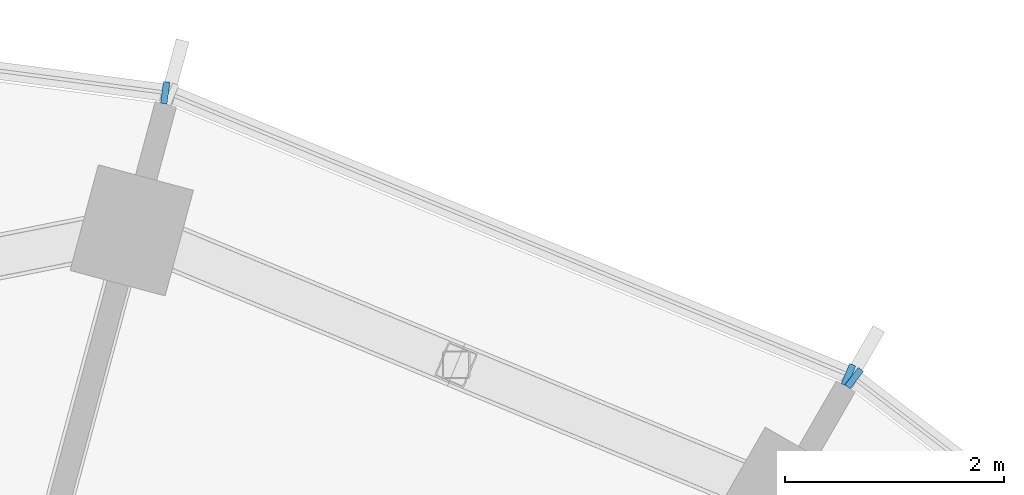
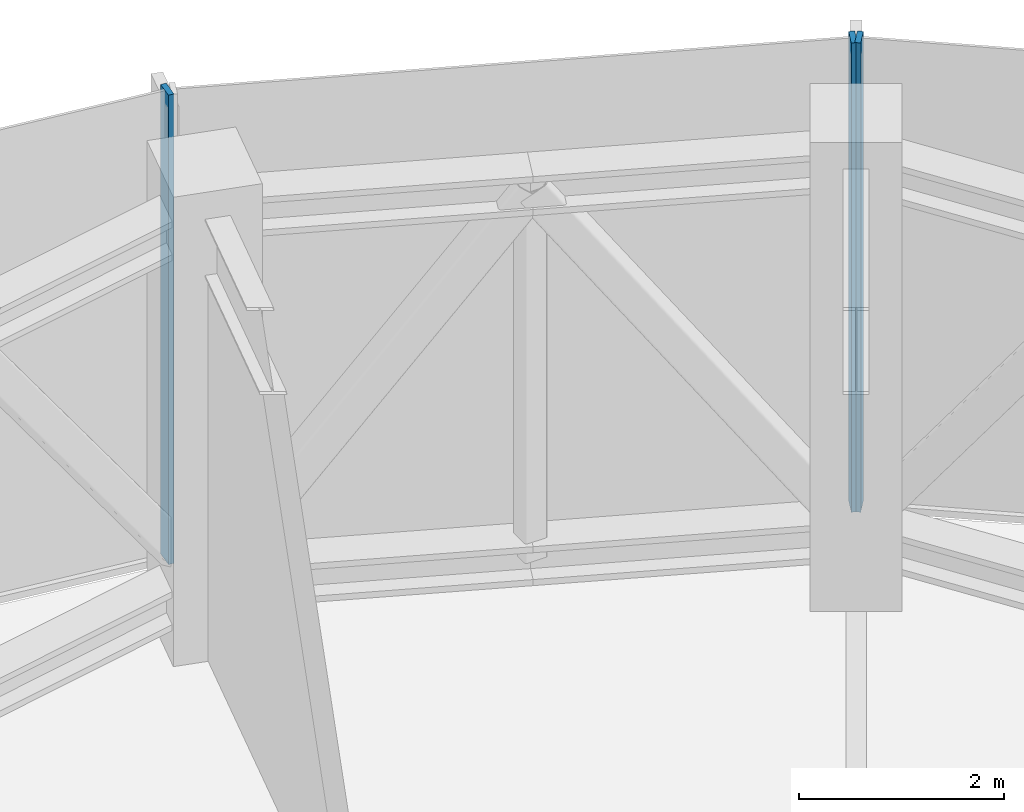
# One storey, part 10 of 18: 3 members, 3 elements without a shape of their own.
"""IFC4 building model written with IfcOpenShell, lengths in metres."""

from ifc_helpers import new_model, si_unit, direction, frame, origin, origin_2d, place, context, subcontext, project, spatial, rectangle, extrude, material, layer, layer_set, material_profile, profile_set, type_object, element, aggregate, save


model = new_model("IFC4")

# Units and contexts
model_context = context("Model", 3, precision=1e-05, world=origin(), true_north=direction((0.0, 1.0)))
body_context = subcontext(model_context, "Body", "Model", "MODEL_VIEW")
ifc_project = project(units=[si_unit("LENGTHUNIT", "METRE"), si_unit("AREAUNIT", "SQUARE_METRE"), si_unit("VOLUMEUNIT", "CUBIC_METRE"), si_unit("PLANEANGLEUNIT", "RADIAN"), si_unit("MASSUNIT", "GRAM", prefix="KILO")], contexts=[model_context])

# Site, building, storey
site_placement = place(None, origin())
site = spatial("IfcSite", under=ifc_project, at=site_placement, CompositionType="ELEMENT")
building_placement = place(site_placement, origin())
building = spatial("IfcBuilding", under=site, at=building_placement, Name="Torre Brocal", CompositionType="ELEMENT")
storey_placement = place(building_placement, frame((0.0, 0.0, 109.0)))
storey = spatial("IfcBuildingStorey", under=building, at=storey_placement, Name="L25", CompositionType="ELEMENT", Elevation=109.0)

# Curtain wall, member
ifc_material_1 = material(Name="Aluminium and glass", Category="aluminium")
ifc_layer = layer(ifc_material_1, 0.199951171875)
ifc_layer_set = layer_set([ifc_layer], Name="Aluminium and glass")
curtain_wall_type = type_object("IfcCurtainWallType", Name="CW-1 CURTAIN WALL 5600 HIGH", PredefinedType="NOTDEFINED", material=ifc_layer_set)
curtain_wall_1_placement = place(storey_placement, origin())
curtain_wall_1 = element("IfcCurtainWall", 1, at=curtain_wall_1_placement, inside=storey, type_object=curtain_wall_type, Name="CW-1 RUN 4", PredefinedType="NOTDEFINED")
ifc_material_2 = material(Name="Aluminium, dark anodised", Category="aluminium")
ifc_material_profile = material_profile(ifc_material_2, rectangle(XDim=0.199951171875, YDim=0.06005859375, at=origin_2d()), Name="CW-1 MULLION 60X200")
ifc_profile_set = profile_set([ifc_material_profile], Name="Aluminium, dark anodised")
member_type = type_object("IfcMemberType", Name="CW-1 MULLION 60X200", PredefinedType="MULLION", material=ifc_profile_set)
member_1_placement = place(storey_placement, frame((92.973388671875, 97.4111328125, 0.0), z_axis=(0.0, 0.0, 1.0), x_axis=(-0.60876142905, -0.793353340259, 0.0)))
member_1 = element("IfcMember", 2, at=member_1_placement, type_object=member_type, Name="CW1-2 mullion 2", PredefinedType="MULLION", context=body_context, shape_type="SweptSolid", body=[
    extrude(rectangle(XDim=0.199951171875, YDim=0.06005859375, at=origin_2d()), origin(), (0.0, 0.0, 1.0), 5.60009765625),
])
aggregate(curtain_wall_1, [member_1])

curtain_wall_2_placement = place(storey_placement, origin())
curtain_wall_2 = element("IfcCurtainWall", 3, at=curtain_wall_2_placement, inside=storey, type_object=curtain_wall_type, Name="CW-1 RUN 5", PredefinedType="NOTDEFINED")
member_2_placement = place(storey_placement, frame((92.921875, 97.440673828125, 0.0), z_axis=(0.0, 0.0, 1.0), x_axis=(-0.382683432333, -0.923879532525, 0.0)))
member_2 = element("IfcMember", 4, at=member_2_placement, type_object=member_type, Name="CW1-2 mullion 1", PredefinedType="MULLION", context=body_context, shape_type="SweptSolid", body=[
    extrude(rectangle(XDim=0.199951171875, YDim=0.06005859375, at=origin_2d()), origin(), (0.0, 0.0, 1.0), 5.60009765625),
])
aggregate(curtain_wall_2, [member_2])

curtain_wall_3_placement = place(storey_placement, origin())
curtain_wall_3 = element("IfcCurtainWall", 5, at=curtain_wall_3_placement, inside=storey, type_object=curtain_wall_type, Name="CW-1 RUN 6", PredefinedType="NOTDEFINED")
member_3_placement = place(storey_placement, frame((86.67333984375, 100.0205078125, 0.0), z_axis=(0.0, 0.0, 1.0), x_axis=(-0.13052619222, -0.991444861374, 0.0)))
member_3 = element("IfcMember", 6, at=member_3_placement, type_object=member_type, Name="CW1-2 mullion 1", PredefinedType="MULLION", context=body_context, shape_type="SweptSolid", body=[
    extrude(rectangle(XDim=0.199951171875, YDim=0.06005859375, at=origin_2d()), origin(), (0.0, 0.0, 1.0), 5.60009765625),
])
aggregate(curtain_wall_3, [member_3])

save(model, "model.ifc")
